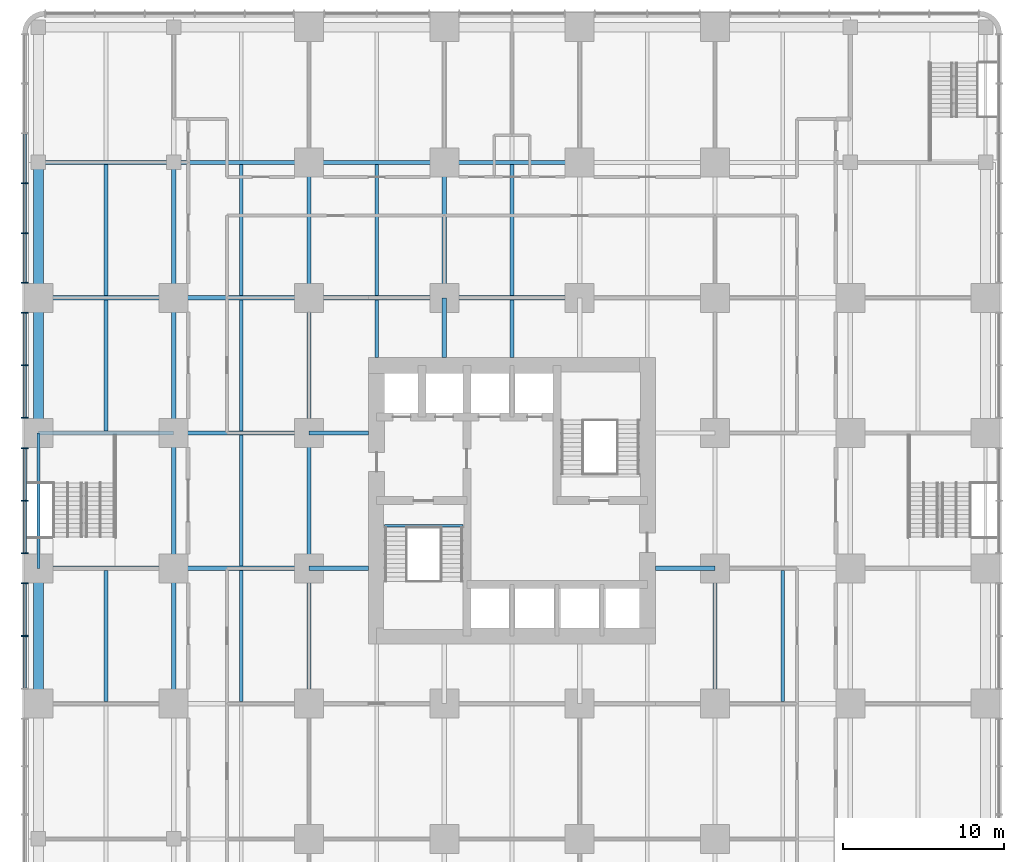
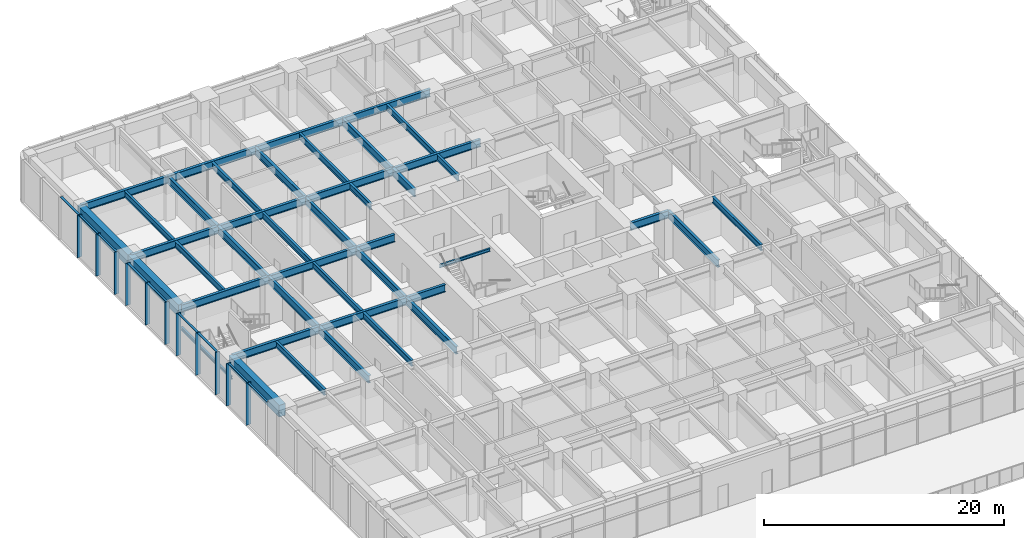
# One storey, part 5 of 20: 43 beams, 20 members, 1 element without a shape of its own.
"""IFC4 building model written with IfcOpenShell, lengths in metres."""

from ifc_helpers import new_model, si_unit, direction, frame, origin, origin_2d, place, context, subcontext, project, spatial, rectangle, i_section, extrude, material, material_profile, profile_set, type_object, element, aggregate, save


model = new_model("IFC4")

# Units and contexts
model_context = context("Model", 3, precision=1e-05, world=origin(), true_north=direction((0.0, 1.0)))
body_context = subcontext(model_context, "Body", "Model", "MODEL_VIEW")
ifc_project = project(units=[si_unit("LENGTHUNIT", "METRE"), si_unit("AREAUNIT", "SQUARE_METRE"), si_unit("VOLUMEUNIT", "CUBIC_METRE"), si_unit("PLANEANGLEUNIT", "RADIAN"), si_unit("MASSUNIT", "GRAM", prefix="KILO")], contexts=[model_context])

# Site, building, storey
site_placement = place(None, origin())
site = spatial("IfcSite", under=ifc_project, at=site_placement, CompositionType="ELEMENT")
building_placement = place(site_placement, origin())
building = spatial("IfcBuilding", under=site, at=building_placement, Name="Torre Alcanfor", CompositionType="ELEMENT")
storey_placement = place(building_placement, frame((0.0, 0.0, 10.5)))
storey = spatial("IfcBuildingStorey", under=building, at=storey_placement, Name="L02", CompositionType="ELEMENT", Elevation=10.5)

# Curtain wall, members
ifc_material_1 = material(Name="Aluminium and glass", Category="aluminium")
curtain_wall_type = type_object("IfcCurtainWallType", Name="CW-B unitised classroom glazing with vertical FIN", PredefinedType="NOTDEFINED", material=ifc_material_1)
curtain_wall_placement = place(storey_placement, origin())
curtain_wall = element("IfcCurtainWall", 1, at=curtain_wall_placement, inside=storey, type_object=curtain_wall_type, Name="Curtain wall CW-B L02 3", PredefinedType="NOTDEFINED")
ifc_material_2 = material(Name="Bronze anodised aluminium", Category="aluminium")
ifc_material_profile_1 = material_profile(ifc_material_2, rectangle(XDim=0.449951171875, YDim=0.06494140625, at=origin_2d()), Name="CW-B mullion 65x450")
ifc_profile_set_1 = profile_set([ifc_material_profile_1], Name="Bronze anodised aluminium")
member_type_1 = type_object("IfcMemberType", Name="CW-B mullion with vertical FIN 65x450", PredefinedType="MULLION", material=ifc_profile_set_1)
member_1_placement = place(storey_placement, frame((-0.85009765625, 49.10302734375, 0.0), z_axis=(0.0, 0.0, 1.0), x_axis=(1.0, 0.0, 0.0)))
member_1 = element("IfcMember", 2, at=member_1_placement, type_object=member_type_1, Name="CW-B mullion 1.4", PredefinedType="MULLION", context=body_context, shape_type="SweptSolid", body=[
    extrude(rectangle(XDim=0.449951171875, YDim=0.06494140625, at=origin_2d()), origin(), (0.0, 0.0, 1.0), 4.300048828125),
])
member_2_placement = place(storey_placement, frame((-0.85009765625, 46.00390625, 0.0), z_axis=(0.0, 0.0, 1.0), x_axis=(1.0, 0.0, 0.0)))
member_2 = element("IfcMember", 3, at=member_2_placement, type_object=member_type_1, Name="CW-B mullion 1.5", PredefinedType="MULLION", context=body_context, shape_type="SweptSolid", body=[
    extrude(rectangle(XDim=0.449951171875, YDim=0.06494140625, at=origin_2d()), origin(), (0.0, 0.0, 1.0), 4.300048828125),
])
member_3_placement = place(storey_placement, frame((-0.85009765625, 42.9375, 0.0), z_axis=(0.0, 0.0, 1.0), x_axis=(1.0, 0.0, 0.0)))
member_3 = element("IfcMember", 4, at=member_3_placement, type_object=member_type_1, Name="CW-B mullion 1.6", PredefinedType="MULLION", context=body_context, shape_type="SweptSolid", body=[
    extrude(rectangle(XDim=0.449951171875, YDim=0.06494140625, at=origin_2d()), origin(), (0.0, 0.0, 1.0), 4.300048828125),
])
member_4_placement = place(storey_placement, frame((-0.85009765625, 41.0625, 0.0), z_axis=(0.0, 0.0, 1.0), x_axis=(1.0, 0.0, 0.0)))
member_4 = element("IfcMember", 5, at=member_4_placement, type_object=member_type_1, Name="CW-B mullion 2.1", PredefinedType="MULLION", context=body_context, shape_type="SweptSolid", body=[
    extrude(rectangle(XDim=0.449951171875, YDim=0.06494140625, at=origin_2d()), origin(), (0.0, 0.0, 1.0), 4.300048828125),
])
member_5_placement = place(storey_placement, frame((-0.85009765625, 37.800048828125, 0.0), z_axis=(0.0, 0.0, 1.0), x_axis=(1.0, 0.0, 0.0)))
member_5 = element("IfcMember", 6, at=member_5_placement, type_object=member_type_1, Name="CW-B mullion 2.2", PredefinedType="MULLION", context=body_context, shape_type="SweptSolid", body=[
    extrude(rectangle(XDim=0.449951171875, YDim=0.06494140625, at=origin_2d()), origin(), (0.0, 0.0, 1.0), 4.300048828125),
])
member_6_placement = place(storey_placement, frame((-0.85009765625, 34.53759765625, 0.0), z_axis=(0.0, 0.0, 1.0), x_axis=(1.0, 0.0, 0.0)))
member_6 = element("IfcMember", 7, at=member_6_placement, type_object=member_type_1, Name="CW-B mullion 2.3", PredefinedType="MULLION", context=body_context, shape_type="SweptSolid", body=[
    extrude(rectangle(XDim=0.449951171875, YDim=0.06494140625, at=origin_2d()), origin(), (0.0, 0.0, 1.0), 4.300048828125),
])
member_7_placement = place(storey_placement, frame((-0.85009765625, 32.66259765625, 0.0), z_axis=(0.0, 0.0, 1.0), x_axis=(1.0, 0.0, 0.0)))
member_7 = element("IfcMember", 8, at=member_7_placement, type_object=member_type_1, Name="CW-B mullion 3.1", PredefinedType="MULLION", context=body_context, shape_type="SweptSolid", body=[
    extrude(rectangle(XDim=0.449951171875, YDim=0.06494140625, at=origin_2d()), origin(), (0.0, 0.0, 1.0), 4.300048828125),
])
member_8_placement = place(storey_placement, frame((-0.85009765625, 29.39990234375, 0.0), z_axis=(0.0, 0.0, 1.0), x_axis=(1.0, 0.0, 0.0)))
member_8 = element("IfcMember", 9, at=member_8_placement, type_object=member_type_1, Name="CW-B mullion 3.2", PredefinedType="MULLION", context=body_context, shape_type="SweptSolid", body=[
    extrude(rectangle(XDim=0.449951171875, YDim=0.06494140625, at=origin_2d()), origin(), (0.0, 0.0, 1.0), 4.300048828125),
])
member_9_placement = place(storey_placement, frame((-0.85009765625, 26.137451171875, 0.0), z_axis=(0.0, 0.0, 1.0), x_axis=(1.0, 0.0, 0.0)))
member_9 = element("IfcMember", 10, at=member_9_placement, type_object=member_type_1, Name="CW-B mullion 3.3", PredefinedType="MULLION", context=body_context, shape_type="SweptSolid", body=[
    extrude(rectangle(XDim=0.449951171875, YDim=0.06494140625, at=origin_2d()), origin(), (0.0, 0.0, 1.0), 4.300048828125),
])
member_10_placement = place(storey_placement, frame((-0.85009765625, 24.262451171875, 0.0), z_axis=(0.0, 0.0, 1.0), x_axis=(1.0, 0.0, 0.0)))
member_10 = element("IfcMember", 11, at=member_10_placement, type_object=member_type_1, Name="CW-B mullion 4.1", PredefinedType="MULLION", context=body_context, shape_type="SweptSolid", body=[
    extrude(rectangle(XDim=0.449951171875, YDim=0.06494140625, at=origin_2d()), origin(), (0.0, 0.0, 1.0), 4.300048828125),
])
member_11_placement = place(storey_placement, frame((-0.85009765625, 21.0, 0.0), z_axis=(0.0, 0.0, 1.0), x_axis=(1.0, 0.0, 0.0)))
member_11 = element("IfcMember", 12, at=member_11_placement, type_object=member_type_1, Name="CW-B mullion 4.2", PredefinedType="MULLION", context=body_context, shape_type="SweptSolid", body=[
    extrude(rectangle(XDim=0.449951171875, YDim=0.06494140625, at=origin_2d()), origin(), (0.0, 0.0, 1.0), 4.300048828125),
])
ifc_material_3 = material(Name="Extruded aluminium", Category="aluminium")
ifc_material_profile_2 = material_profile(ifc_material_3, rectangle(XDim=0.199951171875, YDim=0.06494140625, at=origin_2d()), Name="CW-B transom 200x65")
ifc_profile_set_2 = profile_set([ifc_material_profile_2], Name="Extruded aluminium")
member_type_2 = type_object("IfcMemberType", Name="CW-B transom 65x200", PredefinedType="USERDEFINED", material=ifc_profile_set_2)
member_12_placement = place(storey_placement, frame((-0.85009765625, 52.16943359375, 4.267578125), z_axis=(0.0, -1.0, 0.0), x_axis=(1.0, 0.0, 0.0)))
member_12 = element("IfcMember", 13, at=member_12_placement, type_object=member_type_2, Name="CW-B transom 1.3.2", ObjectType="TRANSOM", PredefinedType="USERDEFINED", context=body_context, shape_type="SweptSolid", body=[
    extrude(rectangle(XDim=0.199951171875, YDim=0.06494140625, at=origin_2d()), origin(), (0.0, 0.0, 1.0), 3.033935546875),
])
member_13_placement = place(storey_placement, frame((-0.85009765625, 49.070556640625, 4.267578125), z_axis=(0.0, -1.0, 0.0), x_axis=(1.0, 0.0, 0.0)))
member_13 = element("IfcMember", 14, at=member_13_placement, type_object=member_type_2, Name="CW-B transom 1.4.2", ObjectType="TRANSOM", PredefinedType="USERDEFINED", context=body_context, shape_type="SweptSolid", body=[
    extrude(rectangle(XDim=0.199951171875, YDim=0.06494140625, at=origin_2d()), origin(), (0.0, 0.0, 1.0), 3.033935546875),
])
member_14_placement = place(storey_placement, frame((-0.85009765625, 45.971435546875, 4.267578125), z_axis=(0.0, -1.0, 0.0), x_axis=(1.0, 0.0, 0.0)))
member_14 = element("IfcMember", 15, at=member_14_placement, type_object=member_type_2, Name="CW-B transom 1.5.2", ObjectType="TRANSOM", PredefinedType="USERDEFINED", context=body_context, shape_type="SweptSolid", body=[
    extrude(rectangle(XDim=0.199951171875, YDim=0.06494140625, at=origin_2d()), origin(), (0.0, 0.0, 1.0), 3.00146484375),
])
member_15_placement = place(storey_placement, frame((-0.85009765625, 41.030029296875, 4.267578125), z_axis=(0.0, -1.0, 0.0), x_axis=(1.0, 0.0, 0.0)))
member_15 = element("IfcMember", 16, at=member_15_placement, type_object=member_type_2, Name="CW-B transom 2.1.2", ObjectType="TRANSOM", PredefinedType="USERDEFINED", context=body_context, shape_type="SweptSolid", body=[
    extrude(rectangle(XDim=0.199951171875, YDim=0.06494140625, at=origin_2d()), origin(), (0.0, 0.0, 1.0), 3.197509765625),
])
member_16_placement = place(storey_placement, frame((-0.85009765625, 37.767578125, 4.267578125), z_axis=(0.0, -1.0, 0.0), x_axis=(1.0, 0.0, 0.0)))
member_16 = element("IfcMember", 17, at=member_16_placement, type_object=member_type_2, Name="CW-B transom 2.2.2", ObjectType="TRANSOM", PredefinedType="USERDEFINED", context=body_context, shape_type="SweptSolid", body=[
    extrude(rectangle(XDim=0.199951171875, YDim=0.06494140625, at=origin_2d()), origin(), (0.0, 0.0, 1.0), 3.197509765625),
])
member_17_placement = place(storey_placement, frame((-0.85009765625, 32.6298828125, 4.267578125), z_axis=(0.0, -1.0, 0.0), x_axis=(1.0, 0.0, 0.0)))
member_17 = element("IfcMember", 18, at=member_17_placement, type_object=member_type_2, Name="CW-B transom 3.1.2", ObjectType="TRANSOM", PredefinedType="USERDEFINED", context=body_context, shape_type="SweptSolid", body=[
    extrude(rectangle(XDim=0.199951171875, YDim=0.06494140625, at=origin_2d()), origin(), (0.0, 0.0, 1.0), 3.197265625),
])
member_18_placement = place(storey_placement, frame((-0.85009765625, 29.367431640625, 4.267578125), z_axis=(0.0, -1.0, 0.0), x_axis=(1.0, 0.0, 0.0)))
member_18 = element("IfcMember", 19, at=member_18_placement, type_object=member_type_2, Name="CW-B transom 3.2.2", ObjectType="TRANSOM", PredefinedType="USERDEFINED", context=body_context, shape_type="SweptSolid", body=[
    extrude(rectangle(XDim=0.199951171875, YDim=0.06494140625, at=origin_2d()), origin(), (0.0, 0.0, 1.0), 3.197509765625),
])
member_19_placement = place(storey_placement, frame((-0.85009765625, 24.22998046875, 4.267578125), z_axis=(0.0, -1.0, 0.0), x_axis=(1.0, 0.0, 0.0)))
member_19 = element("IfcMember", 20, at=member_19_placement, type_object=member_type_2, Name="CW-B transom 4.1.2", ObjectType="TRANSOM", PredefinedType="USERDEFINED", context=body_context, shape_type="SweptSolid", body=[
    extrude(rectangle(XDim=0.199951171875, YDim=0.06494140625, at=origin_2d()), origin(), (0.0, 0.0, 1.0), 3.197509765625),
])
member_20_placement = place(storey_placement, frame((-0.85009765625, 20.967529296875, 4.267578125), z_axis=(0.0, -1.0, 0.0), x_axis=(1.0, 0.0, 0.0)))
member_20 = element("IfcMember", 21, at=member_20_placement, type_object=member_type_2, Name="CW-B transom 4.2.2", ObjectType="TRANSOM", PredefinedType="USERDEFINED", context=body_context, shape_type="SweptSolid", body=[
    extrude(rectangle(XDim=0.199951171875, YDim=0.06494140625, at=origin_2d()), origin(), (0.0, 0.0, 1.0), 3.197509765625),
])
aggregate(curtain_wall, [member_1, member_2, member_3, member_12, member_13, member_14, member_4, member_5, member_6, member_15, member_16, member_7, member_8, member_9, member_17, member_18, member_10, member_11, member_19, member_20])

# Beams
ifc_material_4 = material(Name="Steel ASTM A992 Grade 50", Category="steel")
ifc_material_profile_3 = material_profile(ifc_material_4, i_section(OverallWidth=0.2666015625, OverallDepth=0.7568359375, WebThickness=0.013916015625, FlangeThickness=0.019287109375, at=origin_2d()), Name="W30x108")
ifc_profile_set_3 = profile_set([ifc_material_profile_3], Name="Steel ASTM A992 Grade 50")
beam_type_1 = type_object("IfcBeamType", Name="Girder W30x108", PredefinedType="BEAM", material=ifc_profile_set_3)
beam_1_placement = place(storey_placement, frame((0.0, 25.199951171875, 3.921630859375), z_axis=(1.0, 0.0, 0.0), x_axis=(0.0, 1.0, 0.0)))
element("IfcBeam", 22, at=beam_1_placement, inside=storey, type_object=beam_type_1, Name="Beam 1F-2F under L03", PredefinedType="BEAM", context=body_context, shape_type="SweptSolid", body=[
    extrude(i_section(OverallWidth=0.2666015625, OverallDepth=0.7568359375, WebThickness=0.013916015625, FlangeThickness=0.019287109375, at=origin_2d()), origin(), (0.0, 0.0, 1.0), 8.39990234375),
])
beam_2_placement = place(storey_placement, frame((8.39990234375, 25.199951171875, 3.921630859375), z_axis=(1.0, 0.0, 0.0), x_axis=(0.0, 1.0, 0.0)))
element("IfcBeam", 23, at=beam_2_placement, inside=storey, type_object=beam_type_1, Name="Beam 2F-3F under L03", PredefinedType="BEAM", context=body_context, shape_type="SweptSolid", body=[
    extrude(i_section(OverallWidth=0.2666015625, OverallDepth=0.7568359375, WebThickness=0.013916015625, FlangeThickness=0.019287109375, at=origin_2d()), origin(), (0.0, 0.0, 1.0), 8.400146484375),
])
beam_3_placement = place(storey_placement, frame((0.0, 33.60009765625, 3.921630859375), z_axis=(1.0, 0.0, 0.0), x_axis=(0.0, 1.0, 0.0)))
element("IfcBeam", 24, at=beam_3_placement, inside=storey, type_object=beam_type_1, Name="Beam 1G-2G under L03", PredefinedType="BEAM", context=body_context, shape_type="SweptSolid", body=[
    extrude(i_section(OverallWidth=0.2666015625, OverallDepth=0.7568359375, WebThickness=0.013916015625, FlangeThickness=0.019287109375, at=origin_2d()), origin(), (0.0, 0.0, 1.0), 8.39990234375),
])
beam_4_placement = place(storey_placement, frame((8.39990234375, 33.60009765625, 3.921630859375), z_axis=(1.0, 0.0, 0.0), x_axis=(0.0, 1.0, 0.0)))
element("IfcBeam", 25, at=beam_4_placement, inside=storey, type_object=beam_type_1, Name="Beam 2G-3G under L03", PredefinedType="BEAM", context=body_context, shape_type="SweptSolid", body=[
    extrude(i_section(OverallWidth=0.2666015625, OverallDepth=0.7568359375, WebThickness=0.013916015625, FlangeThickness=0.019287109375, at=origin_2d()), origin(), (0.0, 0.0, 1.0), 8.400146484375),
])
beam_5_placement = place(storey_placement, frame((0.0, 42.0, 3.921630859375), z_axis=(1.0, 0.0, 0.0), x_axis=(0.0, 1.0, 0.0)))
element("IfcBeam", 26, at=beam_5_placement, inside=storey, type_object=beam_type_1, Name="Beam 1H-2H under L03", PredefinedType="BEAM", context=body_context, shape_type="SweptSolid", body=[
    extrude(i_section(OverallWidth=0.2666015625, OverallDepth=0.7568359375, WebThickness=0.013916015625, FlangeThickness=0.019287109375, at=origin_2d()), origin(), (0.0, 0.0, 1.0), 8.39990234375),
])
beam_6_placement = place(storey_placement, frame((8.39990234375, 42.0, 3.921630859375), z_axis=(1.0, 0.0, 0.0), x_axis=(0.0, 1.0, 0.0)))
element("IfcBeam", 27, at=beam_6_placement, inside=storey, type_object=beam_type_1, Name="Beam 2H-3H under L03", PredefinedType="BEAM", context=body_context, shape_type="SweptSolid", body=[
    extrude(i_section(OverallWidth=0.2666015625, OverallDepth=0.7568359375, WebThickness=0.013916015625, FlangeThickness=0.019287109375, at=origin_2d()), origin(), (0.0, 0.0, 1.0), 8.400146484375),
])
beam_7_placement = place(storey_placement, frame((16.800048828125, 42.0, 3.921630859375), z_axis=(1.0, 0.0, 0.0), x_axis=(0.0, 1.0, 0.0)))
element("IfcBeam", 28, at=beam_7_placement, inside=storey, type_object=beam_type_1, Name="Beam 3H-4H under L03", PredefinedType="BEAM", context=body_context, shape_type="SweptSolid", body=[
    extrude(i_section(OverallWidth=0.2666015625, OverallDepth=0.7568359375, WebThickness=0.013916015625, FlangeThickness=0.019287109375, at=origin_2d()), origin(), (0.0, 0.0, 1.0), 8.39990234375),
])
beam_8_placement = place(storey_placement, frame((25.199951171875, 42.0, 3.921630859375), z_axis=(1.0, 0.0, 0.0), x_axis=(0.0, 1.0, 0.0)))
element("IfcBeam", 29, at=beam_8_placement, inside=storey, type_object=beam_type_1, Name="Beam 4H-5H under L03", PredefinedType="BEAM", context=body_context, shape_type="SweptSolid", body=[
    extrude(i_section(OverallWidth=0.2666015625, OverallDepth=0.7568359375, WebThickness=0.013916015625, FlangeThickness=0.019287109375, at=origin_2d()), origin(), (0.0, 0.0, 1.0), 8.400146484375),
])
beam_9_placement = place(storey_placement, frame((0.0, 50.39990234375, 3.921630859375), z_axis=(1.0, 0.0, 0.0), x_axis=(0.0, 1.0, 0.0)))
element("IfcBeam", 30, at=beam_9_placement, inside=storey, type_object=beam_type_1, Name="Beam 1J-2J under L03", PredefinedType="BEAM", context=body_context, shape_type="SweptSolid", body=[
    extrude(i_section(OverallWidth=0.2666015625, OverallDepth=0.7568359375, WebThickness=0.013916015625, FlangeThickness=0.019287109375, at=origin_2d()), origin(), (0.0, 0.0, 1.0), 8.39990234375),
])
beam_10_placement = place(storey_placement, frame((8.39990234375, 50.39990234375, 3.921630859375), z_axis=(1.0, 0.0, 0.0), x_axis=(0.0, 1.0, 0.0)))
element("IfcBeam", 31, at=beam_10_placement, inside=storey, type_object=beam_type_1, Name="Beam 2J-3J under L03", PredefinedType="BEAM", context=body_context, shape_type="SweptSolid", body=[
    extrude(i_section(OverallWidth=0.2666015625, OverallDepth=0.7568359375, WebThickness=0.013916015625, FlangeThickness=0.019287109375, at=origin_2d()), origin(), (0.0, 0.0, 1.0), 8.400146484375),
])
beam_11_placement = place(storey_placement, frame((16.800048828125, 50.39990234375, 3.921630859375), z_axis=(1.0, 0.0, 0.0), x_axis=(0.0, 1.0, 0.0)))
element("IfcBeam", 32, at=beam_11_placement, inside=storey, type_object=beam_type_1, Name="Beam 3J-4J under L03", PredefinedType="BEAM", context=body_context, shape_type="SweptSolid", body=[
    extrude(i_section(OverallWidth=0.2666015625, OverallDepth=0.7568359375, WebThickness=0.013916015625, FlangeThickness=0.019287109375, at=origin_2d()), origin(), (0.0, 0.0, 1.0), 8.39990234375),
])
beam_12_placement = place(storey_placement, frame((25.199951171875, 50.39990234375, 3.921630859375), z_axis=(1.0, 0.0, 0.0), x_axis=(0.0, 1.0, 0.0)))
element("IfcBeam", 33, at=beam_12_placement, inside=storey, type_object=beam_type_1, Name="Beam 4J-5J under L03", PredefinedType="BEAM", context=body_context, shape_type="SweptSolid", body=[
    extrude(i_section(OverallWidth=0.2666015625, OverallDepth=0.7568359375, WebThickness=0.013916015625, FlangeThickness=0.019287109375, at=origin_2d()), origin(), (0.0, 0.0, 1.0), 8.400146484375),
])
beam_13_placement = place(storey_placement, frame((8.39990234375, 16.800048828125, 3.921630859375), z_axis=(0.0, 1.0, 0.0), x_axis=(-1.0, 0.0, 0.0)))
element("IfcBeam", 34, at=beam_13_placement, inside=storey, type_object=beam_type_1, Name="Beam 2E-2F under L03", PredefinedType="BEAM", context=body_context, shape_type="SweptSolid", body=[
    extrude(i_section(OverallWidth=0.2666015625, OverallDepth=0.7568359375, WebThickness=0.013916015625, FlangeThickness=0.019287109375, at=origin_2d()), origin(), (0.0, 0.0, 1.0), 8.39990234375),
])
beam_14_placement = place(storey_placement, frame((8.39990234375, 25.199951171875, 3.921630859375), z_axis=(0.0, 1.0, 0.0), x_axis=(-1.0, 0.0, 0.0)))
element("IfcBeam", 35, at=beam_14_placement, inside=storey, type_object=beam_type_1, Name="Beam 2F-2G under L03", PredefinedType="BEAM", context=body_context, shape_type="SweptSolid", body=[
    extrude(i_section(OverallWidth=0.2666015625, OverallDepth=0.7568359375, WebThickness=0.013916015625, FlangeThickness=0.019287109375, at=origin_2d()), origin(), (0.0, 0.0, 1.0), 8.400146484375),
])
for number, where, z_axis, x_axis, name in (
    (36, (8.39990234375, 33.60009765625, 3.921630859375), (0.0, 1.0, 0.0), (-1.0, 0.0, 0.0), "Beam 2G-2H under L03"),
    (37, (8.39990234375, 42.0, 3.921630859375), (0.0, 1.0, 0.0), (-1.0, 0.0, 0.0), "Beam 2H-2J under L03"),
    (38, (16.800048828125, 16.800048828125, 3.921630859375), (0.0, 1.0, 0.0), (-1.0, 0.0, 0.0), "Beam 3E-3F under L03"),
):
    element("IfcBeam", number, at=place(storey_placement, frame(where, z_axis=z_axis, x_axis=x_axis)), inside=storey, type_object=beam_type_1, Name=name, PredefinedType="BEAM", context=body_context, shape_type="SweptSolid", body=[
        extrude(i_section(OverallWidth=0.2666015625, OverallDepth=0.7568359375, WebThickness=0.013916015625, FlangeThickness=0.019287109375, at=origin_2d()), origin(), (0.0, 0.0, 1.0), 8.39990234375),
    ])
beam_15_placement = place(storey_placement, frame((16.800048828125, 25.199951171875, 3.921630859375), z_axis=(0.0, 1.0, 0.0), x_axis=(-1.0, 0.0, 0.0)))
element("IfcBeam", 39, at=beam_15_placement, inside=storey, type_object=beam_type_1, Name="Beam 3F-3G under L03", PredefinedType="BEAM", context=body_context, shape_type="SweptSolid", body=[
    extrude(i_section(OverallWidth=0.2666015625, OverallDepth=0.7568359375, WebThickness=0.013916015625, FlangeThickness=0.019287109375, at=origin_2d()), origin(), (0.0, 0.0, 1.0), 8.400146484375),
])
for number, where, z_axis, x_axis, name in (
    (40, (16.800048828125, 33.60009765625, 3.921630859375), (0.0, 1.0, 0.0), (-1.0, 0.0, 0.0), "Beam 3G-3H under L03"),
    (41, (16.800048828125, 42.0, 3.921630859375), (0.0, 1.0, 0.0), (-1.0, 0.0, 0.0), "Beam 3H-3J under L03"),
    (42, (25.199951171875, 42.0, 3.921630859375), (0.0, 1.0, 0.0), (-1.0, 0.0, 0.0), "Beam 4H-4J under L03"),
    (43, (42.0, 16.800048828125, 3.921630859375), (0.0, 1.0, 0.0), (-1.0, 0.0, 0.0), "Beam 6E-6F under L03"),
):
    element("IfcBeam", number, at=place(storey_placement, frame(where, z_axis=z_axis, x_axis=x_axis)), inside=storey, type_object=beam_type_1, Name=name, PredefinedType="BEAM", context=body_context, shape_type="SweptSolid", body=[
        extrude(i_section(OverallWidth=0.2666015625, OverallDepth=0.7568359375, WebThickness=0.013916015625, FlangeThickness=0.019287109375, at=origin_2d()), origin(), (0.0, 0.0, 1.0), 8.39990234375),
    ])
ifc_material_5 = material(Name="Steel ASTM A992 Grade 50", Category="steel")
ifc_material_profile_4 = material_profile(ifc_material_5, i_section(OverallWidth=0.2666015625, OverallDepth=0.7568359375, WebThickness=0.013916015625, FlangeThickness=0.019287109375, at=origin_2d()), Name="W30x108")
ifc_profile_set_4 = profile_set([ifc_material_profile_4], Name="Steel ASTM A992 Grade 50")
beam_type_2 = type_object("IfcBeamType", Name="Girder, part bay W30x108", PredefinedType="BEAM", material=ifc_profile_set_4)
for number, where, z_axis, x_axis, name in (
    (44, (25.199951171875, 42.0, 3.921630859375), (0.0, -1.0, 0.0), (1.0, 0.0, 0.0), "Beam 4H-438_3 under L03"),
    (45, (16.800048828125, 25.199951171875, 3.921630859375), (1.0, 0.0, 0.0), (0.0, 1.0, 0.0), "Beam 3F-20_5F under L03"),
    (46, (42.0, 25.199951171875, 3.921630859375), (-1.0, 0.0, 0.0), (0.0, -1.0, 0.0), "Beam 6F-38_3F under L03"),
    (47, (16.800048828125, 33.60009765625, 3.921630859375), (1.0, 0.0, 0.0), (0.0, 1.0, 0.0), "Beam 3G-20_5G under L03"),
):
    element("IfcBeam", number, at=place(storey_placement, frame(where, z_axis=z_axis, x_axis=x_axis)), inside=storey, type_object=beam_type_2, Name=name, PredefinedType="BEAM", context=body_context, shape_type="SweptSolid", body=[
        extrude(i_section(OverallWidth=0.2666015625, OverallDepth=0.7568359375, WebThickness=0.013916015625, FlangeThickness=0.019287109375, at=origin_2d()), origin(), (0.0, 0.0, 1.0), 3.699951171875),
    ])
ifc_material_6 = material(Name="Concrete f'c 70 MPa", Category="concrete")
ifc_material_profile_5 = material_profile(ifc_material_6, rectangle(XDim=0.60009765625, YDim=1.199951171875, at=origin_2d()), Name="600x1200")
ifc_profile_set_5 = profile_set([ifc_material_profile_5], Name="Concrete f'c 70 MPa")
beam_type_3 = type_object("IfcBeamType", Name="RC perimeter beam 600x1200", PredefinedType="BEAM", material=ifc_profile_set_5)
for number, where, z_axis, x_axis, name in (
    (48, (0.0, 16.800048828125, 3.699951171875), (0.0, 1.0, 0.0), (-1.0, 0.0, 0.0), "Beam 1E-1F under L03"),
    (49, (0.0, 33.60009765625, 3.699951171875), (0.0, 1.0, 0.0), (-1.0, 0.0, 0.0), "Beam 1G-1H under L03"),
    (50, (0.0, 42.0, 3.699951171875), (0.0, 1.0, 0.0), (-1.0, 0.0, 0.0), "Beam 1H-1J under L03"),
):
    element("IfcBeam", number, at=place(storey_placement, frame(where, z_axis=z_axis, x_axis=x_axis)), inside=storey, type_object=beam_type_3, Name=name, PredefinedType="BEAM", context=body_context, shape_type="SweptSolid", body=[
        extrude(rectangle(XDim=0.60009765625, YDim=1.199951171875, at=origin_2d()), origin(), (0.0, 0.0, 1.0), 8.39990234375),
    ])
ifc_material_7 = material(Name="Steel ASTM A992 Grade 50", Category="steel")
ifc_material_profile_6 = material_profile(ifc_material_7, i_section(OverallWidth=0.203369140625, OverallDepth=0.30224609375, WebThickness=0.007568359375, FlangeThickness=0.01318359375, at=origin_2d()), Name="W12x40")
ifc_profile_set_6 = profile_set([ifc_material_profile_6], Name="Steel ASTM A992 Grade 50")
beam_type_4 = type_object("IfcBeamType", Name="School stair landing beam W12x40", PredefinedType="BEAM", material=ifc_profile_set_6)
beam_16_placement = place(storey_placement, frame((0.0, 25.199951171875, 1.89892578125), z_axis=(0.0, 1.0, 0.0), x_axis=(-1.0, 0.0, 0.0)))
element("IfcBeam", 51, at=beam_16_placement, inside=storey, type_object=beam_type_4, Name="Landing beam SS1 L02", PredefinedType="BEAM", context=body_context, shape_type="SweptSolid", body=[
    extrude(i_section(OverallWidth=0.203369140625, OverallDepth=0.30224609375, WebThickness=0.007568359375, FlangeThickness=0.01318359375, at=origin_2d()), origin(), (0.0, 0.0, 1.0), 8.400146484375),
])
ifc_material_8 = material(Name="Steel ASTM A992 Grade 50", Category="steel")
ifc_material_profile_7 = material_profile(ifc_material_8, i_section(OverallWidth=0.22900390625, OverallDepth=0.612060546875, WebThickness=0.011962890625, FlangeThickness=0.01953125, at=origin_2d()), Name="W24x84")
ifc_profile_set_7 = profile_set([ifc_material_profile_7], Name="Steel ASTM A992 Grade 50")
beam_type_5 = type_object("IfcBeamType", Name="Secondary beam W24x84", PredefinedType="BEAM", material=ifc_profile_set_7)
beam_17_placement = place(storey_placement, frame((4.199951171875, 16.93310546875, 3.993896484375), z_axis=(0.0, 1.0, 0.0), x_axis=(-1.0, 0.0, 0.0)))
element("IfcBeam", 52, at=beam_17_placement, inside=storey, type_object=beam_type_5, Name="Beam 4_2E-4_2F under L03", PredefinedType="BEAM", context=body_context, shape_type="SweptSolid", body=[
    extrude(i_section(OverallWidth=0.22900390625, OverallDepth=0.612060546875, WebThickness=0.011962890625, FlangeThickness=0.01953125, at=origin_2d()), origin(), (0.0, 0.0, 1.0), 8.1337890625),
])
for number, where, z_axis, x_axis, name in (
    (53, (4.199951171875, 33.73291015625, 3.993896484375), (0.0, 1.0, 0.0), (-1.0, 0.0, 0.0), "Beam 4_2G-4_2H under L03"),
    (54, (4.199951171875, 42.133056640625, 3.993896484375), (0.0, 1.0, 0.0), (-1.0, 0.0, 0.0), "Beam 4_2H-4_2J under L03"),
):
    element("IfcBeam", number, at=place(storey_placement, frame(where, z_axis=z_axis, x_axis=x_axis)), inside=storey, type_object=beam_type_5, Name=name, PredefinedType="BEAM", context=body_context, shape_type="SweptSolid", body=[
        extrude(i_section(OverallWidth=0.22900390625, OverallDepth=0.612060546875, WebThickness=0.011962890625, FlangeThickness=0.01953125, at=origin_2d()), origin(), (0.0, 0.0, 1.0), 8.134033203125),
    ])
beam_18_placement = place(storey_placement, frame((12.60009765625, 16.93310546875, 3.993896484375), z_axis=(0.0, 1.0, 0.0), x_axis=(-1.0, 0.0, 0.0)))
element("IfcBeam", 55, at=beam_18_placement, inside=storey, type_object=beam_type_5, Name="Beam 12_6E-12_6F under L03", PredefinedType="BEAM", context=body_context, shape_type="SweptSolid", body=[
    extrude(i_section(OverallWidth=0.22900390625, OverallDepth=0.612060546875, WebThickness=0.011962890625, FlangeThickness=0.01953125, at=origin_2d()), origin(), (0.0, 0.0, 1.0), 8.1337890625),
])
for number, where, z_axis, x_axis, name in (
    (56, (12.60009765625, 25.3330078125, 3.993896484375), (0.0, 1.0, 0.0), (-1.0, 0.0, 0.0), "Beam 12_6F-12_6G under L03"),
    (57, (12.60009765625, 33.73291015625, 3.993896484375), (0.0, 1.0, 0.0), (-1.0, 0.0, 0.0), "Beam 12_6G-12_6H under L03"),
    (58, (12.60009765625, 42.133056640625, 3.993896484375), (0.0, 1.0, 0.0), (-1.0, 0.0, 0.0), "Beam 12_6H-12_6J under L03"),
    (59, (21.0, 42.133056640625, 3.993896484375), (0.0, 1.0, 0.0), (-1.0, 0.0, 0.0), "Beam 21H-21J under L03"),
    (60, (29.39990234375, 42.133056640625, 3.993896484375), (0.0, 1.0, 0.0), (-1.0, 0.0, 0.0), "Beam 29_4H-29_4J under L03"),
):
    element("IfcBeam", number, at=place(storey_placement, frame(where, z_axis=z_axis, x_axis=x_axis)), inside=storey, type_object=beam_type_5, Name=name, PredefinedType="BEAM", context=body_context, shape_type="SweptSolid", body=[
        extrude(i_section(OverallWidth=0.22900390625, OverallDepth=0.612060546875, WebThickness=0.011962890625, FlangeThickness=0.01953125, at=origin_2d()), origin(), (0.0, 0.0, 1.0), 8.134033203125),
    ])
beam_19_placement = place(storey_placement, frame((46.199951171875, 16.93310546875, 3.993896484375), z_axis=(0.0, 1.0, 0.0), x_axis=(-1.0, 0.0, 0.0)))
element("IfcBeam", 61, at=beam_19_placement, inside=storey, type_object=beam_type_5, Name="Beam 46_2E-46_2F under L03", PredefinedType="BEAM", context=body_context, shape_type="SweptSolid", body=[
    extrude(i_section(OverallWidth=0.22900390625, OverallDepth=0.612060546875, WebThickness=0.011962890625, FlangeThickness=0.01953125, at=origin_2d()), origin(), (0.0, 0.0, 1.0), 8.1337890625),
])
ifc_material_9 = material(Name="Steel ASTM A992 Grade 50", Category="steel")
ifc_material_profile_8 = material_profile(ifc_material_9, i_section(OverallWidth=0.22900390625, OverallDepth=0.612060546875, WebThickness=0.011962890625, FlangeThickness=0.01953125, at=origin_2d()), Name="W24x84")
ifc_profile_set_8 = profile_set([ifc_material_profile_8], Name="Steel ASTM A992 Grade 50")
beam_type_6 = type_object("IfcBeamType", Name="Secondary beam, part bay W24x84", PredefinedType="BEAM", material=ifc_profile_set_8)
for number, where, z_axis, x_axis, name in (
    (62, (21.0, 38.300048828125, 3.993896484375), (0.0, 1.0, 0.0), (-1.0, 0.0, 0.0), "Beam 2138_3-21H under L03"),
    (63, (29.39990234375, 38.300048828125, 3.993896484375), (0.0, 1.0, 0.0), (-1.0, 0.0, 0.0), "Beam 29_438_3-29_4H under L03"),
):
    element("IfcBeam", number, at=place(storey_placement, frame(where, z_axis=z_axis, x_axis=x_axis)), inside=storey, type_object=beam_type_6, Name=name, PredefinedType="BEAM", context=body_context, shape_type="SweptSolid", body=[
        extrude(i_section(OverallWidth=0.22900390625, OverallDepth=0.612060546875, WebThickness=0.011962890625, FlangeThickness=0.01953125, at=origin_2d()), origin(), (0.0, 0.0, 1.0), 3.56689453125),
    ])
ifc_material_10 = material(Name="Steel ASTM A992 Grade 50", Category="steel")
ifc_material_profile_9 = material_profile(ifc_material_10, i_section(OverallWidth=0.164794921875, OverallDepth=0.309814453125, WebThickness=0.005859375, FlangeThickness=0.009765625, at=origin_2d()), Name="W12x26")
ifc_profile_set_9 = profile_set([ifc_material_profile_9], Name="Steel ASTM A992 Grade 50")
beam_type_7 = type_object("IfcBeamType", Name="Stair landing beam W12x26", PredefinedType="BEAM", material=ifc_profile_set_9)
beam_20_placement = place(storey_placement, frame((21.5, 27.83740234375, 4.14501953125), z_axis=(1.0, 0.0, 0.0), x_axis=(0.0, 1.0, 0.0)))
element("IfcBeam", 64, at=beam_20_placement, inside=storey, type_object=beam_type_7, Name="Landing trimmer S1 L03", PredefinedType="BEAM", context=body_context, shape_type="SweptSolid", body=[
    extrude(i_section(OverallWidth=0.164794921875, OverallDepth=0.309814453125, WebThickness=0.005859375, FlangeThickness=0.009765625, at=origin_2d()), origin(), (0.0, 0.0, 1.0), 4.85009765625),
])

save(model, "model.ifc")
